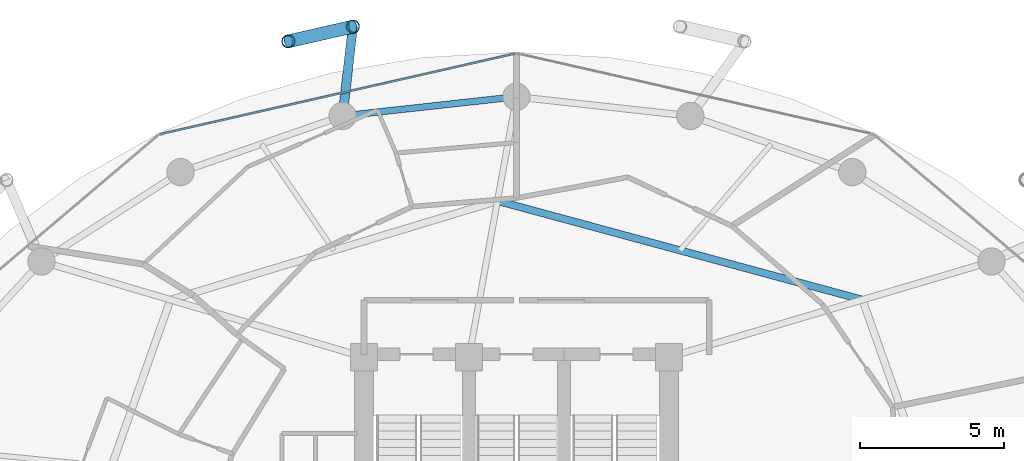
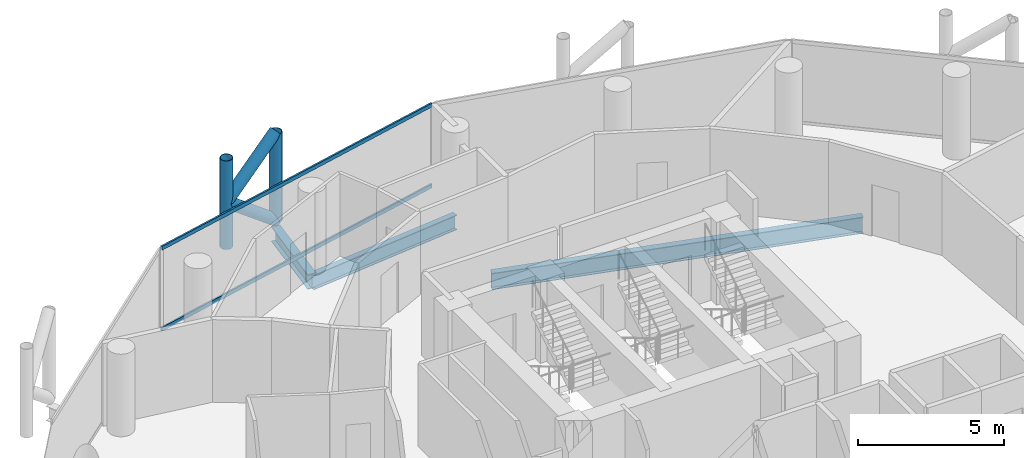
# One storey, part 16 of 26: 6 members, 3 beams, 1 element without a shape of its own.
"""IFC4 building model written with IfcOpenShell, lengths in metres."""

from ifc_helpers import new_model, si_unit, direction, frame, origin, origin_2d, place, context, subcontext, project, spatial, hollow_rectangle, hollow_circle, i_section, extrude, material, layer, layer_set, material_profile, profile_set, type_object, element, aggregate, save


model = new_model("IFC4")

# Units and contexts
model_context = context("Model", 3, precision=1e-05, world=origin(), true_north=direction((0.0, 1.0)))
body_context = subcontext(model_context, "Body", "Model", "MODEL_VIEW")
ifc_project = project(units=[si_unit("LENGTHUNIT", "METRE"), si_unit("AREAUNIT", "SQUARE_METRE"), si_unit("VOLUMEUNIT", "CUBIC_METRE"), si_unit("PLANEANGLEUNIT", "RADIAN"), si_unit("MASSUNIT", "GRAM", prefix="KILO")], contexts=[model_context])

# Site, building, storey
site_placement = place(None, origin())
site = spatial("IfcSite", under=ifc_project, at=site_placement, CompositionType="ELEMENT")
building_placement = place(site_placement, origin())
building = spatial("IfcBuilding", under=site, at=building_placement, Name="Nuhasar Tower", CompositionType="ELEMENT")
storey_placement = place(building_placement, frame((0.0, 0.0, 147.85009765625)))
storey = spatial("IfcBuildingStorey", under=building, at=storey_placement, Name="L35", CompositionType="ELEMENT", Elevation=147.85009765625)

# Beams
ifc_material_1 = material(Name="Steel S355", Category="steel")
ifc_material_profile_1 = material_profile(ifc_material_1, i_section(OverallWidth=0.25390625, OverallDepth=0.68408203125, WebThickness=0.012451171875, FlangeThickness=0.018798828125, at=origin_2d()), Name="W27X94")
ifc_profile_set_1 = profile_set([ifc_material_profile_1], Name="Steel S355")
beam_type_1 = type_object("IfcBeamType", Name="BM-INRING-W27X94", PredefinedType="BEAM", material=ifc_profile_set_1)
beam_1_placement = place(storey_placement, frame((51.027099609375, 39.2939453125, -0.592041015625), z_axis=(-0.96522695776, 0.261413312618, 0.0), x_axis=(-0.261413312618, -0.96522695776, 0.0)))
element("IfcBeam", 1, at=beam_1_placement, inside=storey, type_object=beam_type_1, Name="L35 Inner Header Beam 05", PredefinedType="BEAM", context=body_context, shape_type="SweptSolid", body=[
    extrude(i_section(OverallWidth=0.25390625, OverallDepth=0.68408203125, WebThickness=0.012451171875, FlangeThickness=0.018798828125, at=origin_2d()), origin(), (0.0, 0.0, 1.0), 13.14404296875),
])
ifc_material_profile_2 = material_profile(ifc_material_1, i_section(OverallWidth=0.22998046875, OverallDepth=0.616943359375, WebThickness=0.01318359375, FlangeThickness=0.022216796875, at=origin_2d()), Name="W24X94")
ifc_profile_set_2 = profile_set([ifc_material_profile_2], Name="Steel S355")
beam_type_2 = type_object("IfcBeamType", Name="BM-RING-W24X94", PredefinedType="SPANDREL", material=ifc_profile_set_2)
beam_2_placement = place(storey_placement, frame((39.0, 46.35009765625, -0.55908203125), z_axis=(-0.993981289157, -0.109549974015, 0.0), x_axis=(0.109549974015, -0.993981289157, 0.0)))
element("IfcBeam", 2, at=beam_2_placement, inside=storey, type_object=beam_type_2, Name="L35 Perimeter Ring Spandrel 07", PredefinedType="SPANDREL", context=body_context, shape_type="SweptSolid", body=[
    extrude(i_section(OverallWidth=0.22998046875, OverallDepth=0.616943359375, WebThickness=0.01318359375, FlangeThickness=0.022216796875, at=origin_2d()), origin(), (0.0, 0.0, 1.0), 6.07958984375),
])
ifc_material_profile_3 = material_profile(ifc_material_1, i_section(OverallWidth=0.323974609375, OverallDepth=0.611083984375, WebThickness=0.0126953125, FlangeThickness=0.01904296875, at=origin_2d()), Name="W24X104")
ifc_profile_set_3 = profile_set([ifc_material_profile_3], Name="Steel S355")
beam_type_3 = type_object("IfcBeamType", Name="BM-TIE-W24X104", PredefinedType="BEAM", material=ifc_profile_set_3)
beam_3_placement = place(storey_placement, frame((32.95703125, 45.68408203125, -0.55615234375), z_axis=(0.114167639647, 0.993461499031, 0.0), x_axis=(-0.993461499031, 0.114167639647, 0.0)))
element("IfcBeam", 3, at=beam_3_placement, inside=storey, type_object=beam_type_3, Name="L35 Exoskeleton Node Tie Beam 04", PredefinedType="BEAM", context=body_context, shape_type="SweptSolid", body=[
    extrude(i_section(OverallWidth=0.323974609375, OverallDepth=0.611083984375, WebThickness=0.0126953125, FlangeThickness=0.01904296875, at=origin_2d()), origin(), (0.0, 0.0, 1.0), 3.12646484375),
])

# Curtain wall, members
ifc_material_2 = material(Name="Aluminium 6063-T6", Category="aluminium")
ifc_layer = layer(ifc_material_2, 0.199951171875)
ifc_layer_set = layer_set([ifc_layer], Name="Aluminium 6063-T6")
curtain_wall_type = type_object("IfcCurtainWallType", Name="CW-Z2-HTL", PredefinedType="NOTDEFINED", material=ifc_layer_set)
curtain_wall_placement = place(storey_placement, origin())
curtain_wall = element("IfcCurtainWall", 4, at=curtain_wall_placement, inside=storey, type_object=curtain_wall_type, Name="L35 Unitised Curtain Wall 04", PredefinedType="NOTDEFINED")
ifc_material_profile_4 = material_profile(ifc_material_2, hollow_rectangle(XDim=0.070068359375, YDim=0.159912109375, WallThickness=0.00439453125, at=origin_2d()), Name="CWT-3")
ifc_profile_set_4 = profile_set([ifc_material_profile_4], Name="Aluminium 6063-T6")
member_type_1 = type_object("IfcMemberType", Name="CW-TRN-S3", PredefinedType="USERDEFINED", material=ifc_profile_set_4)
member_1_placement = place(storey_placement, frame((38.931640625, 47.844482421875, 0.034912109375), z_axis=(-0.975183434528, -0.221398439519, 0.0), x_axis=(0.221398439519, -0.975183434528, 0.0)))
member_1 = element("IfcMember", 5, at=member_1_placement, type_object=member_type_1, Name="CW-Z2 transom 1.1", ObjectType="TRANSOM", PredefinedType="USERDEFINED", context=body_context, shape_type="SweptSolid", body=[
    extrude(hollow_rectangle(XDim=0.070068359375, YDim=0.159912109375, WallThickness=0.00439453125, at=origin_2d()), origin(), (0.0, 0.0, 1.0), 12.606201171875),
])
member_2_placement = place(storey_placement, frame((38.931640625, 47.844482421875, 3.414794921875), z_axis=(-0.975183434528, -0.221398439519, 0.0), x_axis=(0.221398439519, -0.975183434528, 0.0)))
member_2 = element("IfcMember", 6, at=member_2_placement, type_object=member_type_1, Name="CW-Z2 transom 1.2", ObjectType="TRANSOM", PredefinedType="USERDEFINED", context=body_context, shape_type="SweptSolid", body=[
    extrude(hollow_rectangle(XDim=0.070068359375, YDim=0.159912109375, WallThickness=0.00439453125, at=origin_2d()), origin(), (0.0, 0.0, 1.0), 12.606201171875),
])
aggregate(curtain_wall, [member_1, member_2])

# Members
ifc_material_3 = material(Name="Steel S460", Category="steel")
ifc_material_profile_5 = material_profile(ifc_material_3, hollow_circle(Radius=0.228515625, WallThickness=0.022216796875, at=origin_2d()), Name="HSS457X22.2")
ifc_profile_set_5 = profile_set([ifc_material_profile_5], Name="Steel S460")
member_type_2 = type_object("IfcMemberType", Name="EXO-BRONZE-457", PredefinedType="BRACE", material=ifc_profile_set_5)
for number, where, z_axis, x_axis, name in (
    (7, (33.31396484375, 48.7900390625, 0.0), (0.0, 0.0, 1.0), (1.0, 0.0, 0.0), "L35 Exoskeleton Chord Column EC-04A"),
    (8, (31.072021484375, 48.27587890625, 0.0), (0.0, 0.0, 1.0), (1.0, 0.0, 0.0), "L35 Exoskeleton Chord Column EC-04B"),
):
    element("IfcMember", number, at=place(storey_placement, frame(where, z_axis=z_axis, x_axis=x_axis)), inside=storey, type_object=member_type_2, Name=name, PredefinedType="BRACE", context=body_context, shape_type="SweptSolid", body=[
        extrude(hollow_circle(Radius=0.228515625, WallThickness=0.022216796875, at=origin_2d()), origin(), (0.0, 0.0, 1.0), 3.699951171875),
    ])
member_3_placement = place(storey_placement, frame((33.31396484375, 48.7900390625, 0.0), z_axis=(-0.759538919781, -0.174190239035, 0.626704388019), x_axis=(0.223533724104, -0.974696195842, 0.0)))
element("IfcMember", 9, at=member_3_placement, inside=storey, type_object=member_type_2, Name="L35 Bronze Diagrid Brace W1-04", PredefinedType="BRACE", context=body_context, shape_type="SweptSolid", body=[
    extrude(hollow_circle(Radius=0.228515625, WallThickness=0.022216796875, at=origin_2d()), origin(), (0.0, 0.0, 1.0), 2.95166015625),
])
member_4_placement = place(storey_placement, frame((31.072021484375, 48.27587890625, 1.849853515625), z_axis=(0.759499549084, 0.174181209885, 0.626754609927), x_axis=(-0.223533724104, 0.974696195842, 0.0)))
element("IfcMember", 10, at=member_4_placement, inside=storey, type_object=member_type_2, Name="L35 Bronze Diagrid Brace W2-04", PredefinedType="BRACE", context=body_context, shape_type="SweptSolid", body=[
    extrude(hollow_circle(Radius=0.228515625, WallThickness=0.022216796875, at=origin_2d()), origin(), (0.0, 0.0, 1.0), 2.951904296875),
])

save(model, "model.ifc")
